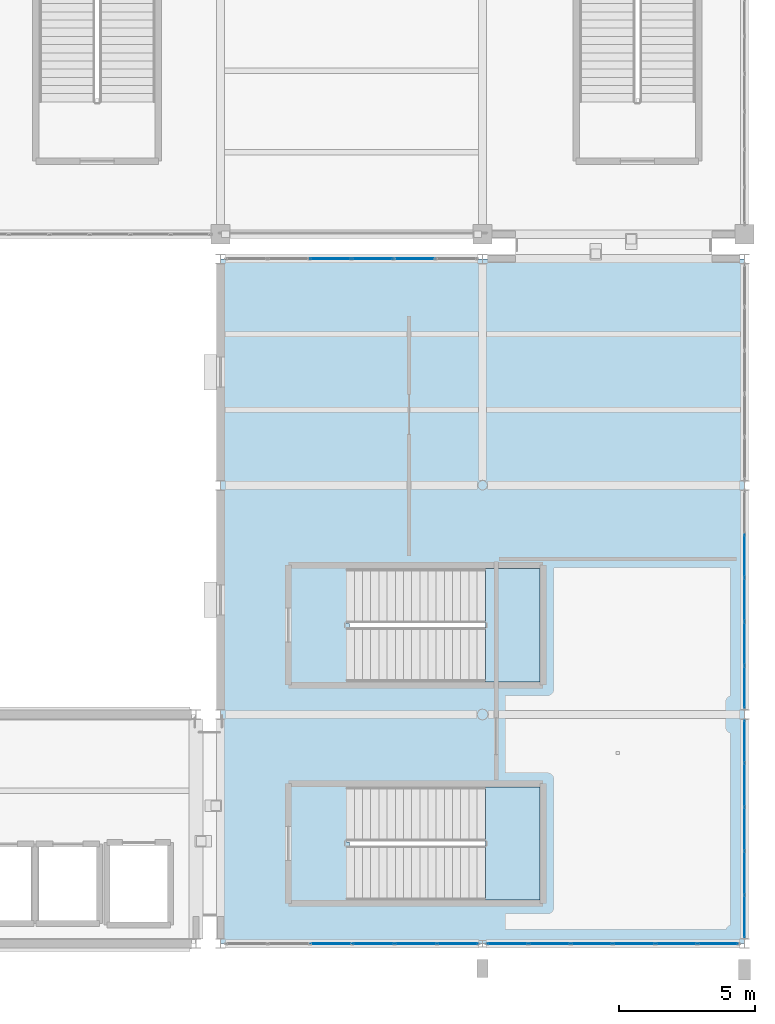
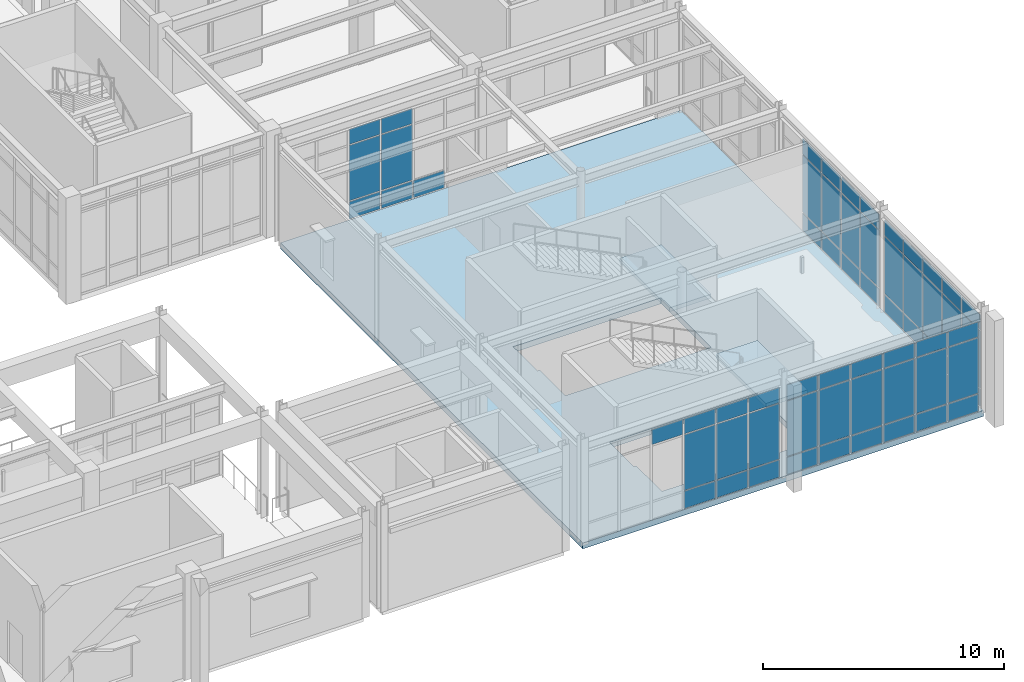
# One storey, part 57 of 80: 62 plates, 3 slabs, 7 elements without a shape of their own.
"""IFC4 building model written with IfcOpenShell, lengths in metres."""

from ifc_helpers import new_model, si_unit, direction, frame, origin, origin_2d, place, context, subcontext, project, spatial, polyline, rectangle, outline, extrude, material, layer, layer_set, type_object, element, aggregate, save


model = new_model("IFC4")

# Units and contexts
model_context = context("Model", 3, precision=1e-05, world=origin(), true_north=direction((0.0, 1.0)))
body_context = subcontext(model_context, "Body", "Model", "MODEL_VIEW")
ifc_project = project(units=[si_unit("LENGTHUNIT", "METRE"), si_unit("AREAUNIT", "SQUARE_METRE"), si_unit("VOLUMEUNIT", "CUBIC_METRE"), si_unit("PLANEANGLEUNIT", "RADIAN"), si_unit("MASSUNIT", "GRAM", prefix="KILO")], contexts=[model_context])

# Site, building, storey
site_placement = place(None, origin())
site = spatial("IfcSite", under=ifc_project, at=site_placement, CompositionType="ELEMENT")
building_placement = place(site_placement, origin())
building = spatial("IfcBuilding", under=site, at=building_placement, Name="Canglan Escarpment Cableway Terminal", CompositionType="ELEMENT")
storey_placement = place(building_placement, frame((0.0, 0.0, 19.199951171875)))
storey = spatial("IfcBuildingStorey", under=building, at=storey_placement, Name="L04", CompositionType="ELEMENT", Elevation=19.199951171875)

# Curtain wall, plates
ifc_material_1 = material(Name="Anodized bronze aluminium and Low-E double glazing", Category="aluminium")
curtain_wall_type_1 = type_object("IfcCurtainWallType", Name="CW-BAY-9300x4650", PredefinedType="NOTDEFINED", material=ifc_material_1)
curtain_wall_1_placement = place(storey_placement, origin())
curtain_wall_1 = element("IfcCurtainWall", 1, at=curtain_wall_1_placement, inside=storey, type_object=curtain_wall_type_1, Name="Classical bay-between-piers glazed curtain wall CW-33", PredefinedType="NOTDEFINED")
ifc_material_2 = material(Name="Double-silver Low-E laminated insulating glass", Category="glass")
ifc_layer_1 = layer(ifc_material_2, 0.028076171875, Name="Double-silver Low-E laminated insulating glass")
ifc_layer_set_1 = layer_set([ifc_layer_1], Name="Double-silver Low-E laminated insulating glass")
plate_type_1 = type_object("IfcPlateType", Name="CWP-02", PredefinedType="CURTAIN_PANEL", material=ifc_layer_set_1)
plate_1_placement = place(storey_placement, frame((151.25, 8.0, 3.83447265625), z_axis=(0.0, 0.0, 1.0), x_axis=(1.0, 0.0, 0.0)))
plate_1 = element("IfcPlate", 2, at=plate_1_placement, type_object=plate_type_1, Name="CW-33 panel 3.3", PredefinedType="CURTAIN_PANEL", context=body_context, shape_type="SweptSolid", body=[
    extrude(rectangle(XDim=1.489990234375, YDim=0.028076171875, at=origin_2d()), origin(), (0.0, 0.0, 1.0), 0.767578125),
])
plate_2_placement = place(storey_placement, frame((152.800048828125, 8.0, 0.05517578125), z_axis=(0.0, 0.0, 1.0), x_axis=(1.0, 0.0, 0.0)))
plate_2 = element("IfcPlate", 3, at=plate_2_placement, type_object=plate_type_1, Name="CW-33 panel 4.1", PredefinedType="CURTAIN_PANEL", context=body_context, shape_type="SweptSolid", body=[
    extrude(rectangle(XDim=1.489990234375, YDim=0.028076171875, at=origin_2d()), origin(), (0.0, 0.0, 1.0), 0.867431640625),
])
plate_3_placement = place(storey_placement, frame((152.800048828125, 8.0, 0.9775390625), z_axis=(0.0, 0.0, 1.0), x_axis=(1.0, 0.0, 0.0)))
plate_3 = element("IfcPlate", 4, at=plate_3_placement, type_object=plate_type_1, Name="CW-33 panel 4.2", PredefinedType="CURTAIN_PANEL", context=body_context, shape_type="SweptSolid", body=[
    extrude(rectangle(XDim=1.489990234375, YDim=0.028076171875, at=origin_2d()), origin(), (0.0, 0.0, 1.0), 2.802001953125),
])
plate_4_placement = place(storey_placement, frame((152.800048828125, 8.0, 3.83447265625), z_axis=(0.0, 0.0, 1.0), x_axis=(1.0, 0.0, 0.0)))
plate_4 = element("IfcPlate", 5, at=plate_4_placement, type_object=plate_type_1, Name="CW-33 panel 4.3", PredefinedType="CURTAIN_PANEL", context=body_context, shape_type="SweptSolid", body=[
    extrude(rectangle(XDim=1.489990234375, YDim=0.028076171875, at=origin_2d()), origin(), (0.0, 0.0, 1.0), 0.767578125),
])
plate_5_placement = place(storey_placement, frame((154.35009765625, 8.0, 0.05517578125), z_axis=(0.0, 0.0, 1.0), x_axis=(1.0, 0.0, 0.0)))
plate_5 = element("IfcPlate", 6, at=plate_5_placement, type_object=plate_type_1, Name="CW-33 panel 5.1", PredefinedType="CURTAIN_PANEL", context=body_context, shape_type="SweptSolid", body=[
    extrude(rectangle(XDim=1.489990234375, YDim=0.028076171875, at=origin_2d()), origin(), (0.0, 0.0, 1.0), 0.867431640625),
])
plate_6_placement = place(storey_placement, frame((154.35009765625, 8.0, 0.9775390625), z_axis=(0.0, 0.0, 1.0), x_axis=(1.0, 0.0, 0.0)))
plate_6 = element("IfcPlate", 7, at=plate_6_placement, type_object=plate_type_1, Name="CW-33 panel 5.2", PredefinedType="CURTAIN_PANEL", context=body_context, shape_type="SweptSolid", body=[
    extrude(rectangle(XDim=1.489990234375, YDim=0.028076171875, at=origin_2d()), origin(), (0.0, 0.0, 1.0), 2.802001953125),
])
plate_7_placement = place(storey_placement, frame((154.35009765625, 8.0, 3.83447265625), z_axis=(0.0, 0.0, 1.0), x_axis=(1.0, 0.0, 0.0)))
plate_7 = element("IfcPlate", 8, at=plate_7_placement, type_object=plate_type_1, Name="CW-33 panel 5.3", PredefinedType="CURTAIN_PANEL", context=body_context, shape_type="SweptSolid", body=[
    extrude(rectangle(XDim=1.489990234375, YDim=0.028076171875, at=origin_2d()), origin(), (0.0, 0.0, 1.0), 0.767578125),
])
plate_8_placement = place(storey_placement, frame((155.885009765625, 8.0, 0.05517578125), z_axis=(0.0, 0.0, 1.0), x_axis=(1.0, 0.0, 0.0)))
plate_8 = element("IfcPlate", 9, at=plate_8_placement, type_object=plate_type_1, Name="CW-33 panel 6.1", PredefinedType="CURTAIN_PANEL", context=body_context, shape_type="SweptSolid", body=[
    extrude(rectangle(XDim=1.4599609375, YDim=0.028076171875, at=origin_2d()), origin(), (0.0, 0.0, 1.0), 0.867431640625),
])
plate_9_placement = place(storey_placement, frame((155.885009765625, 8.0, 0.9775390625), z_axis=(0.0, 0.0, 1.0), x_axis=(1.0, 0.0, 0.0)))
plate_9 = element("IfcPlate", 10, at=plate_9_placement, type_object=plate_type_1, Name="CW-33 panel 6.2", PredefinedType="CURTAIN_PANEL", context=body_context, shape_type="SweptSolid", body=[
    extrude(rectangle(XDim=1.4599609375, YDim=0.028076171875, at=origin_2d()), origin(), (0.0, 0.0, 1.0), 2.802001953125),
])
plate_10_placement = place(storey_placement, frame((155.885009765625, 8.0, 3.83447265625), z_axis=(0.0, 0.0, 1.0), x_axis=(1.0, 0.0, 0.0)))
plate_10 = element("IfcPlate", 11, at=plate_10_placement, type_object=plate_type_1, Name="CW-33 panel 6.3", PredefinedType="CURTAIN_PANEL", context=body_context, shape_type="SweptSolid", body=[
    extrude(rectangle(XDim=1.4599609375, YDim=0.028076171875, at=origin_2d()), origin(), (0.0, 0.0, 1.0), 0.767578125),
])
aggregate(curtain_wall_1, [plate_1, plate_2, plate_3, plate_4, plate_5, plate_6, plate_7, plate_8, plate_9, plate_10])

curtain_wall_type_2 = type_object("IfcCurtainWallType", Name="CW-BAY-8050x4750", PredefinedType="NOTDEFINED", material=ifc_material_1)
curtain_wall_2_placement = place(storey_placement, origin())
curtain_wall_2 = element("IfcCurtainWall", 12, at=curtain_wall_2_placement, inside=storey, type_object=curtain_wall_type_2, Name="Classical bay-between-piers glazed curtain wall CW-34", PredefinedType="NOTDEFINED")
plate_11_placement = place(storey_placement, frame((166.39990234375, 8.9951171875, 0.05517578125), z_axis=(0.0, 0.0, 1.0), x_axis=(0.0, 1.0, 0.0)))
plate_11 = element("IfcPlate", 13, at=plate_11_placement, type_object=plate_type_1, Name="CW-34 panel 1.1", PredefinedType="CURTAIN_PANEL", context=body_context, shape_type="SweptSolid", body=[
    extrude(rectangle(XDim=1.52001953125, YDim=0.028076171875, at=origin_2d()), origin(), (0.0, 0.0, 1.0), 0.867431640625),
])
plate_12_placement = place(storey_placement, frame((166.39990234375, 8.9951171875, 0.9775390625), z_axis=(0.0, 0.0, 1.0), x_axis=(0.0, 1.0, 0.0)))
plate_12 = element("IfcPlate", 14, at=plate_12_placement, type_object=plate_type_1, Name="CW-34 panel 1.2", PredefinedType="CURTAIN_PANEL", context=body_context, shape_type="SweptSolid", body=[
    extrude(rectangle(XDim=1.52001953125, YDim=0.028076171875, at=origin_2d()), origin(), (0.0, 0.0, 1.0), 2.89990234375),
])
plate_13_placement = place(storey_placement, frame((166.39990234375, 8.9951171875, 3.9326171875), z_axis=(0.0, 0.0, 1.0), x_axis=(0.0, 1.0, 0.0)))
plate_13 = element("IfcPlate", 15, at=plate_13_placement, type_object=plate_type_1, Name="CW-34 panel 1.3", PredefinedType="CURTAIN_PANEL", context=body_context, shape_type="SweptSolid", body=[
    extrude(rectangle(XDim=1.52001953125, YDim=0.028076171875, at=origin_2d()), origin(), (0.0, 0.0, 1.0), 0.767578125),
])
plate_14_placement = place(storey_placement, frame((166.39990234375, 10.590087890625, 0.05517578125), z_axis=(0.0, 0.0, 1.0), x_axis=(0.0, 1.0, 0.0)))
plate_14 = element("IfcPlate", 16, at=plate_14_placement, type_object=plate_type_1, Name="CW-34 panel 2.1", PredefinedType="CURTAIN_PANEL", context=body_context, shape_type="SweptSolid", body=[
    extrude(rectangle(XDim=1.550048828125, YDim=0.028076171875, at=origin_2d()), origin(), (0.0, 0.0, 1.0), 0.867431640625),
])
plate_15_placement = place(storey_placement, frame((166.39990234375, 10.590087890625, 0.9775390625), z_axis=(0.0, 0.0, 1.0), x_axis=(0.0, 1.0, 0.0)))
plate_15 = element("IfcPlate", 17, at=plate_15_placement, type_object=plate_type_1, Name="CW-34 panel 2.2", PredefinedType="CURTAIN_PANEL", context=body_context, shape_type="SweptSolid", body=[
    extrude(rectangle(XDim=1.550048828125, YDim=0.028076171875, at=origin_2d()), origin(), (0.0, 0.0, 1.0), 2.89990234375),
])
plate_16_placement = place(storey_placement, frame((166.39990234375, 10.590087890625, 3.9326171875), z_axis=(0.0, 0.0, 1.0), x_axis=(0.0, 1.0, 0.0)))
plate_16 = element("IfcPlate", 18, at=plate_16_placement, type_object=plate_type_1, Name="CW-34 panel 2.3", PredefinedType="CURTAIN_PANEL", context=body_context, shape_type="SweptSolid", body=[
    extrude(rectangle(XDim=1.550048828125, YDim=0.028076171875, at=origin_2d()), origin(), (0.0, 0.0, 1.0), 0.767578125),
])
plate_17_placement = place(storey_placement, frame((166.39990234375, 12.199951171875, 0.05517578125), z_axis=(0.0, 0.0, 1.0), x_axis=(0.0, 1.0, 0.0)))
plate_17 = element("IfcPlate", 19, at=plate_17_placement, type_object=plate_type_1, Name="CW-34 panel 3.1", PredefinedType="CURTAIN_PANEL", context=body_context, shape_type="SweptSolid", body=[
    extrude(rectangle(XDim=1.550048828125, YDim=0.028076171875, at=origin_2d()), origin(), (0.0, 0.0, 1.0), 0.867431640625),
])
plate_18_placement = place(storey_placement, frame((166.39990234375, 12.199951171875, 0.9775390625), z_axis=(0.0, 0.0, 1.0), x_axis=(0.0, 1.0, 0.0)))
plate_18 = element("IfcPlate", 20, at=plate_18_placement, type_object=plate_type_1, Name="CW-34 panel 3.2", PredefinedType="CURTAIN_PANEL", context=body_context, shape_type="SweptSolid", body=[
    extrude(rectangle(XDim=1.550048828125, YDim=0.028076171875, at=origin_2d()), origin(), (0.0, 0.0, 1.0), 2.89990234375),
])
plate_19_placement = place(storey_placement, frame((166.39990234375, 12.199951171875, 3.9326171875), z_axis=(0.0, 0.0, 1.0), x_axis=(0.0, 1.0, 0.0)))
plate_19 = element("IfcPlate", 21, at=plate_19_placement, type_object=plate_type_1, Name="CW-34 panel 3.3", PredefinedType="CURTAIN_PANEL", context=body_context, shape_type="SweptSolid", body=[
    extrude(rectangle(XDim=1.550048828125, YDim=0.028076171875, at=origin_2d()), origin(), (0.0, 0.0, 1.0), 0.767578125),
])
plate_20_placement = place(storey_placement, frame((166.39990234375, 13.81005859375, 0.05517578125), z_axis=(0.0, 0.0, 1.0), x_axis=(0.0, 1.0, 0.0)))
plate_20 = element("IfcPlate", 22, at=plate_20_placement, type_object=plate_type_1, Name="CW-34 panel 4.1", PredefinedType="CURTAIN_PANEL", context=body_context, shape_type="SweptSolid", body=[
    extrude(rectangle(XDim=1.550048828125, YDim=0.028076171875, at=origin_2d()), origin(), (0.0, 0.0, 1.0), 0.867431640625),
])
plate_21_placement = place(storey_placement, frame((166.39990234375, 13.81005859375, 0.9775390625), z_axis=(0.0, 0.0, 1.0), x_axis=(0.0, 1.0, 0.0)))
plate_21 = element("IfcPlate", 23, at=plate_21_placement, type_object=plate_type_1, Name="CW-34 panel 4.2", PredefinedType="CURTAIN_PANEL", context=body_context, shape_type="SweptSolid", body=[
    extrude(rectangle(XDim=1.550048828125, YDim=0.028076171875, at=origin_2d()), origin(), (0.0, 0.0, 1.0), 2.89990234375),
])
plate_22_placement = place(storey_placement, frame((166.39990234375, 13.81005859375, 3.9326171875), z_axis=(0.0, 0.0, 1.0), x_axis=(0.0, 1.0, 0.0)))
plate_22 = element("IfcPlate", 24, at=plate_22_placement, type_object=plate_type_1, Name="CW-34 panel 4.3", PredefinedType="CURTAIN_PANEL", context=body_context, shape_type="SweptSolid", body=[
    extrude(rectangle(XDim=1.550048828125, YDim=0.028076171875, at=origin_2d()), origin(), (0.0, 0.0, 1.0), 0.767578125),
])
plate_23_placement = place(storey_placement, frame((166.39990234375, 15.405029296875, 0.05517578125), z_axis=(0.0, 0.0, 1.0), x_axis=(0.0, 1.0, 0.0)))
plate_23 = element("IfcPlate", 25, at=plate_23_placement, type_object=plate_type_1, Name="CW-34 panel 5.1", PredefinedType="CURTAIN_PANEL", context=body_context, shape_type="SweptSolid", body=[
    extrude(rectangle(XDim=1.52001953125, YDim=0.028076171875, at=origin_2d()), origin(), (0.0, 0.0, 1.0), 0.867431640625),
])
plate_24_placement = place(storey_placement, frame((166.39990234375, 15.405029296875, 0.9775390625), z_axis=(0.0, 0.0, 1.0), x_axis=(0.0, 1.0, 0.0)))
plate_24 = element("IfcPlate", 26, at=plate_24_placement, type_object=plate_type_1, Name="CW-34 panel 5.2", PredefinedType="CURTAIN_PANEL", context=body_context, shape_type="SweptSolid", body=[
    extrude(rectangle(XDim=1.52001953125, YDim=0.028076171875, at=origin_2d()), origin(), (0.0, 0.0, 1.0), 2.89990234375),
])
plate_25_placement = place(storey_placement, frame((166.39990234375, 15.405029296875, 3.9326171875), z_axis=(0.0, 0.0, 1.0), x_axis=(0.0, 1.0, 0.0)))
plate_25 = element("IfcPlate", 27, at=plate_25_placement, type_object=plate_type_1, Name="CW-34 panel 5.3", PredefinedType="CURTAIN_PANEL", context=body_context, shape_type="SweptSolid", body=[
    extrude(rectangle(XDim=1.52001953125, YDim=0.028076171875, at=origin_2d()), origin(), (0.0, 0.0, 1.0), 0.767578125),
])
aggregate(curtain_wall_2, [plate_11, plate_12, plate_13, plate_14, plate_15, plate_16, plate_17, plate_18, plate_19, plate_20, plate_21, plate_22, plate_23, plate_24, plate_25])

curtain_wall_type_3 = type_object("IfcCurtainWallType", Name="CW-BAY-9250x4650", PredefinedType="NOTDEFINED", material=ifc_material_1)
curtain_wall_3_placement = place(storey_placement, origin())
curtain_wall_3 = element("IfcCurtainWall", 28, at=curtain_wall_3_placement, inside=storey, type_object=curtain_wall_type_3, Name="Classical bay-between-piers glazed curtain wall CW-36", PredefinedType="NOTDEFINED")
plate_26_placement = place(storey_placement, frame((154.3125, 33.10009765625, 0.05517578125), z_axis=(0.0, 0.0, 1.0), x_axis=(-1.0, 0.0, 0.0)))
plate_26 = element("IfcPlate", 29, at=plate_26_placement, type_object=plate_type_1, Name="CW-36 panel 2.1", PredefinedType="CURTAIN_PANEL", context=body_context, shape_type="SweptSolid", body=[
    extrude(rectangle(XDim=1.481689453125, YDim=0.028076171875, at=origin_2d()), origin(), (0.0, 0.0, 1.0), 0.867431640625),
])
plate_27_placement = place(storey_placement, frame((152.770751953125, 33.10009765625, 0.05517578125), z_axis=(0.0, 0.0, 1.0), x_axis=(-1.0, 0.0, 0.0)))
plate_27 = element("IfcPlate", 30, at=plate_27_placement, type_object=plate_type_1, Name="CW-36 panel 3.1", PredefinedType="CURTAIN_PANEL", context=body_context, shape_type="SweptSolid", body=[
    extrude(rectangle(XDim=1.481689453125, YDim=0.028076171875, at=origin_2d()), origin(), (0.0, 0.0, 1.0), 0.867431640625),
])
plate_28_placement = place(storey_placement, frame((152.770751953125, 33.10009765625, 0.9775390625), z_axis=(0.0, 0.0, 1.0), x_axis=(-1.0, 0.0, 0.0)))
plate_28 = element("IfcPlate", 31, at=plate_28_placement, type_object=plate_type_1, Name="CW-36 panel 3.2", PredefinedType="CURTAIN_PANEL", context=body_context, shape_type="SweptSolid", body=[
    extrude(rectangle(XDim=1.481689453125, YDim=0.028076171875, at=origin_2d()), origin(), (0.0, 0.0, 1.0), 2.802001953125),
])
plate_29_placement = place(storey_placement, frame((152.770751953125, 33.10009765625, 3.83447265625), z_axis=(0.0, 0.0, 1.0), x_axis=(-1.0, 0.0, 0.0)))
plate_29 = element("IfcPlate", 32, at=plate_29_placement, type_object=plate_type_1, Name="CW-36 panel 3.3", PredefinedType="CURTAIN_PANEL", context=body_context, shape_type="SweptSolid", body=[
    extrude(rectangle(XDim=1.481689453125, YDim=0.028076171875, at=origin_2d()), origin(), (0.0, 0.0, 1.0), 0.767578125),
])
plate_30_placement = place(storey_placement, frame((151.229248046875, 33.10009765625, 0.05517578125), z_axis=(0.0, 0.0, 1.0), x_axis=(-1.0, 0.0, 0.0)))
plate_30 = element("IfcPlate", 33, at=plate_30_placement, type_object=plate_type_1, Name="CW-36 panel 4.1", PredefinedType="CURTAIN_PANEL", context=body_context, shape_type="SweptSolid", body=[
    extrude(rectangle(XDim=1.481689453125, YDim=0.028076171875, at=origin_2d()), origin(), (0.0, 0.0, 1.0), 0.867431640625),
])
plate_31_placement = place(storey_placement, frame((151.229248046875, 33.10009765625, 0.9775390625), z_axis=(0.0, 0.0, 1.0), x_axis=(-1.0, 0.0, 0.0)))
plate_31 = element("IfcPlate", 34, at=plate_31_placement, type_object=plate_type_1, Name="CW-36 panel 4.2", PredefinedType="CURTAIN_PANEL", context=body_context, shape_type="SweptSolid", body=[
    extrude(rectangle(XDim=1.481689453125, YDim=0.028076171875, at=origin_2d()), origin(), (0.0, 0.0, 1.0), 2.802001953125),
])
plate_32_placement = place(storey_placement, frame((151.229248046875, 33.10009765625, 3.83447265625), z_axis=(0.0, 0.0, 1.0), x_axis=(-1.0, 0.0, 0.0)))
plate_32 = element("IfcPlate", 35, at=plate_32_placement, type_object=plate_type_1, Name="CW-36 panel 4.3", PredefinedType="CURTAIN_PANEL", context=body_context, shape_type="SweptSolid", body=[
    extrude(rectangle(XDim=1.481689453125, YDim=0.028076171875, at=origin_2d()), origin(), (0.0, 0.0, 1.0), 0.767578125),
])
aggregate(curtain_wall_3, [plate_26, plate_27, plate_28, plate_29, plate_30, plate_31, plate_32])

curtain_wall_4_placement = place(storey_placement, origin())
curtain_wall_4 = element("IfcCurtainWall", 36, at=curtain_wall_4_placement, inside=storey, type_object=curtain_wall_type_1, Name="Classical bay-between-piers glazed curtain wall CW-33", PredefinedType="NOTDEFINED")
ifc_layer_2 = layer(ifc_material_2, 0.031982421875, Name="Double-silver Low-E laminated insulating glass")
ifc_layer_set_2 = layer_set([ifc_layer_2], Name="Double-silver Low-E laminated insulating glass")
plate_type_2 = type_object("IfcPlateType", Name="CWP-03", PredefinedType="CURTAIN_PANEL", material=ifc_layer_set_2)
plate_33_placement = place(storey_placement, frame((157.71630859375, 8.0, 0.06005859375), z_axis=(0.0, 0.0, 1.0), x_axis=(1.0, 0.0, 0.0)))
plate_33 = element("IfcPlate", 37, at=plate_33_placement, type_object=plate_type_2, Name="CW-33 panel 1.1", PredefinedType="CURTAIN_PANEL", context=body_context, shape_type="SweptSolid", body=[
    extrude(rectangle(XDim=1.452392578125, YDim=0.031982421875, at=origin_2d()), origin(), (0.0, 0.0, 1.0), 0.860107421875),
])
plate_34_placement = place(storey_placement, frame((157.71630859375, 8.0, 0.97998046875), z_axis=(0.0, 0.0, 1.0), x_axis=(1.0, 0.0, 0.0)))
plate_34 = element("IfcPlate", 38, at=plate_34_placement, type_object=plate_type_2, Name="CW-33 panel 1.2", PredefinedType="CURTAIN_PANEL", context=body_context, shape_type="SweptSolid", body=[
    extrude(rectangle(XDim=1.452392578125, YDim=0.031982421875, at=origin_2d()), origin(), (0.0, 0.0, 1.0), 2.797119140625),
])
plate_35_placement = place(storey_placement, frame((157.71630859375, 8.0, 3.8369140625), z_axis=(0.0, 0.0, 1.0), x_axis=(1.0, 0.0, 0.0)))
plate_35 = element("IfcPlate", 39, at=plate_35_placement, type_object=plate_type_2, Name="CW-33 panel 1.3", PredefinedType="CURTAIN_PANEL", context=body_context, shape_type="SweptSolid", body=[
    extrude(rectangle(XDim=1.452392578125, YDim=0.031982421875, at=origin_2d()), origin(), (0.0, 0.0, 1.0), 0.760009765625),
])
plate_36_placement = place(storey_placement, frame((159.25, 8.0, 0.06005859375), z_axis=(0.0, 0.0, 1.0), x_axis=(1.0, 0.0, 0.0)))
plate_36 = element("IfcPlate", 40, at=plate_36_placement, type_object=plate_type_2, Name="CW-33 panel 2.1", PredefinedType="CURTAIN_PANEL", context=body_context, shape_type="SweptSolid", body=[
    extrude(rectangle(XDim=1.485107421875, YDim=0.031982421875, at=origin_2d()), origin(), (0.0, 0.0, 1.0), 0.860107421875),
])
plate_37_placement = place(storey_placement, frame((159.25, 8.0, 0.97998046875), z_axis=(0.0, 0.0, 1.0), x_axis=(1.0, 0.0, 0.0)))
plate_37 = element("IfcPlate", 41, at=plate_37_placement, type_object=plate_type_2, Name="CW-33 panel 2.2", PredefinedType="CURTAIN_PANEL", context=body_context, shape_type="SweptSolid", body=[
    extrude(rectangle(XDim=1.485107421875, YDim=0.031982421875, at=origin_2d()), origin(), (0.0, 0.0, 1.0), 2.797119140625),
])
plate_38_placement = place(storey_placement, frame((159.25, 8.0, 3.8369140625), z_axis=(0.0, 0.0, 1.0), x_axis=(1.0, 0.0, 0.0)))
plate_38 = element("IfcPlate", 42, at=plate_38_placement, type_object=plate_type_2, Name="CW-33 panel 2.3", PredefinedType="CURTAIN_PANEL", context=body_context, shape_type="SweptSolid", body=[
    extrude(rectangle(XDim=1.485107421875, YDim=0.031982421875, at=origin_2d()), origin(), (0.0, 0.0, 1.0), 0.760009765625),
])
plate_39_placement = place(storey_placement, frame((160.800048828125, 8.0, 0.06005859375), z_axis=(0.0, 0.0, 1.0), x_axis=(1.0, 0.0, 0.0)))
plate_39 = element("IfcPlate", 43, at=plate_39_placement, type_object=plate_type_2, Name="CW-33 panel 3.1", PredefinedType="CURTAIN_PANEL", context=body_context, shape_type="SweptSolid", body=[
    extrude(rectangle(XDim=1.485107421875, YDim=0.031982421875, at=origin_2d()), origin(), (0.0, 0.0, 1.0), 0.860107421875),
])
plate_40_placement = place(storey_placement, frame((160.800048828125, 8.0, 0.97998046875), z_axis=(0.0, 0.0, 1.0), x_axis=(1.0, 0.0, 0.0)))
plate_40 = element("IfcPlate", 44, at=plate_40_placement, type_object=plate_type_2, Name="CW-33 panel 3.2", PredefinedType="CURTAIN_PANEL", context=body_context, shape_type="SweptSolid", body=[
    extrude(rectangle(XDim=1.485107421875, YDim=0.031982421875, at=origin_2d()), origin(), (0.0, 0.0, 1.0), 2.797119140625),
])
plate_41_placement = place(storey_placement, frame((160.800048828125, 8.0, 3.8369140625), z_axis=(0.0, 0.0, 1.0), x_axis=(1.0, 0.0, 0.0)))
plate_41 = element("IfcPlate", 45, at=plate_41_placement, type_object=plate_type_2, Name="CW-33 panel 3.3", PredefinedType="CURTAIN_PANEL", context=body_context, shape_type="SweptSolid", body=[
    extrude(rectangle(XDim=1.485107421875, YDim=0.031982421875, at=origin_2d()), origin(), (0.0, 0.0, 1.0), 0.760009765625),
])
plate_42_placement = place(storey_placement, frame((162.35009765625, 8.0, 0.06005859375), z_axis=(0.0, 0.0, 1.0), x_axis=(1.0, 0.0, 0.0)))
plate_42 = element("IfcPlate", 46, at=plate_42_placement, type_object=plate_type_2, Name="CW-33 panel 4.1", PredefinedType="CURTAIN_PANEL", context=body_context, shape_type="SweptSolid", body=[
    extrude(rectangle(XDim=1.485107421875, YDim=0.031982421875, at=origin_2d()), origin(), (0.0, 0.0, 1.0), 0.860107421875),
])
plate_43_placement = place(storey_placement, frame((162.35009765625, 8.0, 0.97998046875), z_axis=(0.0, 0.0, 1.0), x_axis=(1.0, 0.0, 0.0)))
plate_43 = element("IfcPlate", 47, at=plate_43_placement, type_object=plate_type_2, Name="CW-33 panel 4.2", PredefinedType="CURTAIN_PANEL", context=body_context, shape_type="SweptSolid", body=[
    extrude(rectangle(XDim=1.485107421875, YDim=0.031982421875, at=origin_2d()), origin(), (0.0, 0.0, 1.0), 2.797119140625),
])
plate_44_placement = place(storey_placement, frame((162.35009765625, 8.0, 3.8369140625), z_axis=(0.0, 0.0, 1.0), x_axis=(1.0, 0.0, 0.0)))
plate_44 = element("IfcPlate", 48, at=plate_44_placement, type_object=plate_type_2, Name="CW-33 panel 4.3", PredefinedType="CURTAIN_PANEL", context=body_context, shape_type="SweptSolid", body=[
    extrude(rectangle(XDim=1.485107421875, YDim=0.031982421875, at=origin_2d()), origin(), (0.0, 0.0, 1.0), 0.760009765625),
])
plate_45_placement = place(storey_placement, frame((163.89990234375, 8.0, 0.06005859375), z_axis=(0.0, 0.0, 1.0), x_axis=(1.0, 0.0, 0.0)))
plate_45 = element("IfcPlate", 49, at=plate_45_placement, type_object=plate_type_2, Name="CW-33 panel 5.1", PredefinedType="CURTAIN_PANEL", context=body_context, shape_type="SweptSolid", body=[
    extrude(rectangle(XDim=1.485107421875, YDim=0.031982421875, at=origin_2d()), origin(), (0.0, 0.0, 1.0), 0.860107421875),
])
plate_46_placement = place(storey_placement, frame((163.89990234375, 8.0, 0.97998046875), z_axis=(0.0, 0.0, 1.0), x_axis=(1.0, 0.0, 0.0)))
plate_46 = element("IfcPlate", 50, at=plate_46_placement, type_object=plate_type_2, Name="CW-33 panel 5.2", PredefinedType="CURTAIN_PANEL", context=body_context, shape_type="SweptSolid", body=[
    extrude(rectangle(XDim=1.485107421875, YDim=0.031982421875, at=origin_2d()), origin(), (0.0, 0.0, 1.0), 2.797119140625),
])
plate_47_placement = place(storey_placement, frame((163.89990234375, 8.0, 3.8369140625), z_axis=(0.0, 0.0, 1.0), x_axis=(1.0, 0.0, 0.0)))
plate_47 = element("IfcPlate", 51, at=plate_47_placement, type_object=plate_type_2, Name="CW-33 panel 5.3", PredefinedType="CURTAIN_PANEL", context=body_context, shape_type="SweptSolid", body=[
    extrude(rectangle(XDim=1.485107421875, YDim=0.031982421875, at=origin_2d()), origin(), (0.0, 0.0, 1.0), 0.760009765625),
])
plate_48_placement = place(storey_placement, frame((165.433837890625, 8.0, 0.06005859375), z_axis=(0.0, 0.0, 1.0), x_axis=(1.0, 0.0, 0.0)))
plate_48 = element("IfcPlate", 52, at=plate_48_placement, type_object=plate_type_2, Name="CW-33 panel 6.1", PredefinedType="CURTAIN_PANEL", context=body_context, shape_type="SweptSolid", body=[
    extrude(rectangle(XDim=1.452392578125, YDim=0.031982421875, at=origin_2d()), origin(), (0.0, 0.0, 1.0), 0.860107421875),
])
plate_49_placement = place(storey_placement, frame((165.433837890625, 8.0, 0.97998046875), z_axis=(0.0, 0.0, 1.0), x_axis=(1.0, 0.0, 0.0)))
plate_49 = element("IfcPlate", 53, at=plate_49_placement, type_object=plate_type_2, Name="CW-33 panel 6.2", PredefinedType="CURTAIN_PANEL", context=body_context, shape_type="SweptSolid", body=[
    extrude(rectangle(XDim=1.452392578125, YDim=0.031982421875, at=origin_2d()), origin(), (0.0, 0.0, 1.0), 2.797119140625),
])
plate_50_placement = place(storey_placement, frame((165.433837890625, 8.0, 3.8369140625), z_axis=(0.0, 0.0, 1.0), x_axis=(1.0, 0.0, 0.0)))
plate_50 = element("IfcPlate", 54, at=plate_50_placement, type_object=plate_type_2, Name="CW-33 panel 6.3", PredefinedType="CURTAIN_PANEL", context=body_context, shape_type="SweptSolid", body=[
    extrude(rectangle(XDim=1.452392578125, YDim=0.031982421875, at=origin_2d()), origin(), (0.0, 0.0, 1.0), 0.760009765625),
])
aggregate(curtain_wall_4, [plate_33, plate_34, plate_35, plate_36, plate_37, plate_38, plate_39, plate_40, plate_41, plate_42, plate_43, plate_44, plate_45, plate_46, plate_47, plate_48, plate_49, plate_50])

curtain_wall_5_placement = place(storey_placement, origin())
curtain_wall_5 = element("IfcCurtainWall", 55, at=curtain_wall_5_placement, inside=storey, type_object=curtain_wall_type_2, Name="Classical bay-between-piers glazed curtain wall CW-34", PredefinedType="NOTDEFINED")
plate_51_placement = place(storey_placement, frame((166.39990234375, 17.396240234375, 0.06005859375), z_axis=(0.0, 0.0, 1.0), x_axis=(0.0, 1.0, 0.0)))
plate_51 = element("IfcPlate", 56, at=plate_51_placement, type_object=plate_type_2, Name="CW-34 panel 1.1", PredefinedType="CURTAIN_PANEL", context=body_context, shape_type="SweptSolid", body=[
    extrude(rectangle(XDim=1.512451171875, YDim=0.031982421875, at=origin_2d()), origin(), (0.0, 0.0, 1.0), 0.860107421875),
])
plate_52_placement = place(storey_placement, frame((166.39990234375, 17.396240234375, 0.97998046875), z_axis=(0.0, 0.0, 1.0), x_axis=(0.0, 1.0, 0.0)))
plate_52 = element("IfcPlate", 57, at=plate_52_placement, type_object=plate_type_2, Name="CW-34 panel 1.2", PredefinedType="CURTAIN_PANEL", context=body_context, shape_type="SweptSolid", body=[
    extrude(rectangle(XDim=1.512451171875, YDim=0.031982421875, at=origin_2d()), origin(), (0.0, 0.0, 1.0), 2.89501953125),
])
plate_53_placement = place(storey_placement, frame((166.39990234375, 17.396240234375, 3.93505859375), z_axis=(0.0, 0.0, 1.0), x_axis=(0.0, 1.0, 0.0)))
plate_53 = element("IfcPlate", 58, at=plate_53_placement, type_object=plate_type_2, Name="CW-34 panel 1.3", PredefinedType="CURTAIN_PANEL", context=body_context, shape_type="SweptSolid", body=[
    extrude(rectangle(XDim=1.512451171875, YDim=0.031982421875, at=origin_2d()), origin(), (0.0, 0.0, 1.0), 0.760009765625),
])
plate_54_placement = place(storey_placement, frame((166.39990234375, 18.989990234375, 0.06005859375), z_axis=(0.0, 0.0, 1.0), x_axis=(0.0, 1.0, 0.0)))
plate_54 = element("IfcPlate", 59, at=plate_54_placement, type_object=plate_type_2, Name="CW-34 panel 2.1", PredefinedType="CURTAIN_PANEL", context=body_context, shape_type="SweptSolid", body=[
    extrude(rectangle(XDim=1.544921875, YDim=0.031982421875, at=origin_2d()), origin(), (0.0, 0.0, 1.0), 0.860107421875),
])
plate_55_placement = place(storey_placement, frame((166.39990234375, 18.989990234375, 0.97998046875), z_axis=(0.0, 0.0, 1.0), x_axis=(0.0, 1.0, 0.0)))
plate_55 = element("IfcPlate", 60, at=plate_55_placement, type_object=plate_type_2, Name="CW-34 panel 2.2", PredefinedType="CURTAIN_PANEL", context=body_context, shape_type="SweptSolid", body=[
    extrude(rectangle(XDim=1.544921875, YDim=0.031982421875, at=origin_2d()), origin(), (0.0, 0.0, 1.0), 2.89501953125),
])
plate_56_placement = place(storey_placement, frame((166.39990234375, 18.989990234375, 3.93505859375), z_axis=(0.0, 0.0, 1.0), x_axis=(0.0, 1.0, 0.0)))
plate_56 = element("IfcPlate", 61, at=plate_56_placement, type_object=plate_type_2, Name="CW-34 panel 2.3", PredefinedType="CURTAIN_PANEL", context=body_context, shape_type="SweptSolid", body=[
    extrude(rectangle(XDim=1.544921875, YDim=0.031982421875, at=origin_2d()), origin(), (0.0, 0.0, 1.0), 0.760009765625),
])
plate_57_placement = place(storey_placement, frame((166.39990234375, 20.60009765625, 0.06005859375), z_axis=(0.0, 0.0, 1.0), x_axis=(0.0, 1.0, 0.0)))
plate_57 = element("IfcPlate", 62, at=plate_57_placement, type_object=plate_type_2, Name="CW-34 panel 3.1", PredefinedType="CURTAIN_PANEL", context=body_context, shape_type="SweptSolid", body=[
    extrude(rectangle(XDim=1.544921875, YDim=0.031982421875, at=origin_2d()), origin(), (0.0, 0.0, 1.0), 0.860107421875),
])
plate_58_placement = place(storey_placement, frame((166.39990234375, 20.60009765625, 0.97998046875), z_axis=(0.0, 0.0, 1.0), x_axis=(0.0, 1.0, 0.0)))
plate_58 = element("IfcPlate", 63, at=plate_58_placement, type_object=plate_type_2, Name="CW-34 panel 3.2", PredefinedType="CURTAIN_PANEL", context=body_context, shape_type="SweptSolid", body=[
    extrude(rectangle(XDim=1.544921875, YDim=0.031982421875, at=origin_2d()), origin(), (0.0, 0.0, 1.0), 2.89501953125),
])
plate_59_placement = place(storey_placement, frame((166.39990234375, 20.60009765625, 3.93505859375), z_axis=(0.0, 0.0, 1.0), x_axis=(0.0, 1.0, 0.0)))
plate_59 = element("IfcPlate", 64, at=plate_59_placement, type_object=plate_type_2, Name="CW-34 panel 3.3", PredefinedType="CURTAIN_PANEL", context=body_context, shape_type="SweptSolid", body=[
    extrude(rectangle(XDim=1.544921875, YDim=0.031982421875, at=origin_2d()), origin(), (0.0, 0.0, 1.0), 0.760009765625),
])
plate_60_placement = place(storey_placement, frame((166.39990234375, 22.2099609375, 0.06005859375), z_axis=(0.0, 0.0, 1.0), x_axis=(0.0, 1.0, 0.0)))
plate_60 = element("IfcPlate", 65, at=plate_60_placement, type_object=plate_type_2, Name="CW-34 panel 4.1", PredefinedType="CURTAIN_PANEL", context=body_context, shape_type="SweptSolid", body=[
    extrude(rectangle(XDim=1.544921875, YDim=0.031982421875, at=origin_2d()), origin(), (0.0, 0.0, 1.0), 0.860107421875),
])
plate_61_placement = place(storey_placement, frame((166.39990234375, 22.2099609375, 0.97998046875), z_axis=(0.0, 0.0, 1.0), x_axis=(0.0, 1.0, 0.0)))
plate_61 = element("IfcPlate", 66, at=plate_61_placement, type_object=plate_type_2, Name="CW-34 panel 4.2", PredefinedType="CURTAIN_PANEL", context=body_context, shape_type="SweptSolid", body=[
    extrude(rectangle(XDim=1.544921875, YDim=0.031982421875, at=origin_2d()), origin(), (0.0, 0.0, 1.0), 2.89501953125),
])
plate_62_placement = place(storey_placement, frame((166.39990234375, 22.2099609375, 3.93505859375), z_axis=(0.0, 0.0, 1.0), x_axis=(0.0, 1.0, 0.0)))
plate_62 = element("IfcPlate", 67, at=plate_62_placement, type_object=plate_type_2, Name="CW-34 panel 4.3", PredefinedType="CURTAIN_PANEL", context=body_context, shape_type="SweptSolid", body=[
    extrude(rectangle(XDim=1.544921875, YDim=0.031982421875, at=origin_2d()), origin(), (0.0, 0.0, 1.0), 0.760009765625),
])
aggregate(curtain_wall_5, [plate_51, plate_52, plate_53, plate_54, plate_55, plate_56, plate_57, plate_58, plate_59, plate_60, plate_61, plate_62])

# Slab
ifc_material_3 = material(Name="Concrete C40", Category="concrete")
ifc_layer_3 = layer(ifc_material_3, 0.300048828125, Name="Concrete C40")
ifc_layer_set_3 = layer_set([ifc_layer_3], Name="Concrete C40")
slab_type_1 = type_object("IfcSlabType", Name="SLB-FLR-300", PredefinedType="FLOOR", material=ifc_layer_set_3)
slab_1_placement = place(storey_placement, frame((0.0, 0.0, -0.300048828125)))
element("IfcSlab", 68, at=slab_1_placement, inside=storey, type_object=slab_type_1, Name="Suspended structural floor slab L04", PredefinedType="FLOOR", context=body_context, shape_type="SweptSolid", body=[
    extrude(outline(polyline([(147.199951171875, 8.0), (166.39990234375, 8.0), (166.39990234375, 33.10009765625), (147.199951171875, 33.10009765625), (147.199951171875, 8.0)]), holes=[polyline([(151.919921875, 9.60009765625), (151.919921875, 11.72998046875), (151.805908203125, 11.72998046875), (151.805908203125, 13.75), (158.89990234375, 13.75), (158.89990234375, 11.75), (158.89990234375, 11.72998046875), (158.89990234375, 9.60009765625), (151.919921875, 9.60009765625)]), polyline([(151.919921875, 17.60009765625), (151.919921875, 19.72998046875), (151.805908203125, 19.72998046875), (151.805908203125, 21.75), (158.89990234375, 21.75), (158.89990234375, 19.75), (158.89990234375, 19.72998046875), (158.89990234375, 17.60009765625), (151.919921875, 17.60009765625)])]), origin(), (0.0, 0.0, 1.0), 0.300048828125),
])

# Stair, slab
stair_type = type_object("IfcStairType", Name="STR-DOGLEG-2000", PredefinedType="HALF_TURN_STAIR", material=ifc_material_3)
stair_1_placement = place(storey_placement, origin())
stair_1 = element("IfcStair", 69, at=stair_1_placement, inside=storey, type_object=stair_type, Name="L04 Protected Exit Stair ST-08", PredefinedType="HALF_TURN_STAIR")
ifc_layer_4 = layer(ifc_material_3, 0.199951171875, Name="Concrete C40")
ifc_layer_set_4 = layer_set([ifc_layer_4], Name="Concrete C40")
slab_type_2 = type_object("IfcSlabType", Name="SLB-STAIR-LAND-200", PredefinedType="LANDING", material=ifc_layer_set_4)
slab_2_placement = place(storey_placement, frame((0.0, 0.0, 2.5)))
slab_2 = element("IfcSlab", 70, at=slab_2_placement, type_object=slab_type_2, Name="ST-08 landing 1", PredefinedType="LANDING", context=body_context, shape_type="SweptSolid", body=[
    extrude(outline(polyline([(156.89990234375, 9.60009765625), (158.89990234375, 9.60009765625), (158.89990234375, 13.75), (156.89990234375, 13.75), (156.89990234375, 9.60009765625)])), origin(), (0.0, 0.0, 1.0), 0.199951171875),
])
aggregate(stair_1, [slab_2])

stair_2_placement = place(storey_placement, origin())
stair_2 = element("IfcStair", 71, at=stair_2_placement, inside=storey, type_object=stair_type, Name="L04 Protected Exit Stair ST-09", PredefinedType="HALF_TURN_STAIR")
slab_3_placement = place(storey_placement, frame((0.0, 0.0, 2.5)))
slab_3 = element("IfcSlab", 72, at=slab_3_placement, type_object=slab_type_2, Name="ST-09 landing 1", PredefinedType="LANDING", context=body_context, shape_type="SweptSolid", body=[
    extrude(outline(polyline([(156.89990234375, 17.60009765625), (158.89990234375, 17.60009765625), (158.89990234375, 21.75), (156.89990234375, 21.75), (156.89990234375, 17.60009765625)])), origin(), (0.0, 0.0, 1.0), 0.199951171875),
])
aggregate(stair_2, [slab_3])

save(model, "model.ifc")
